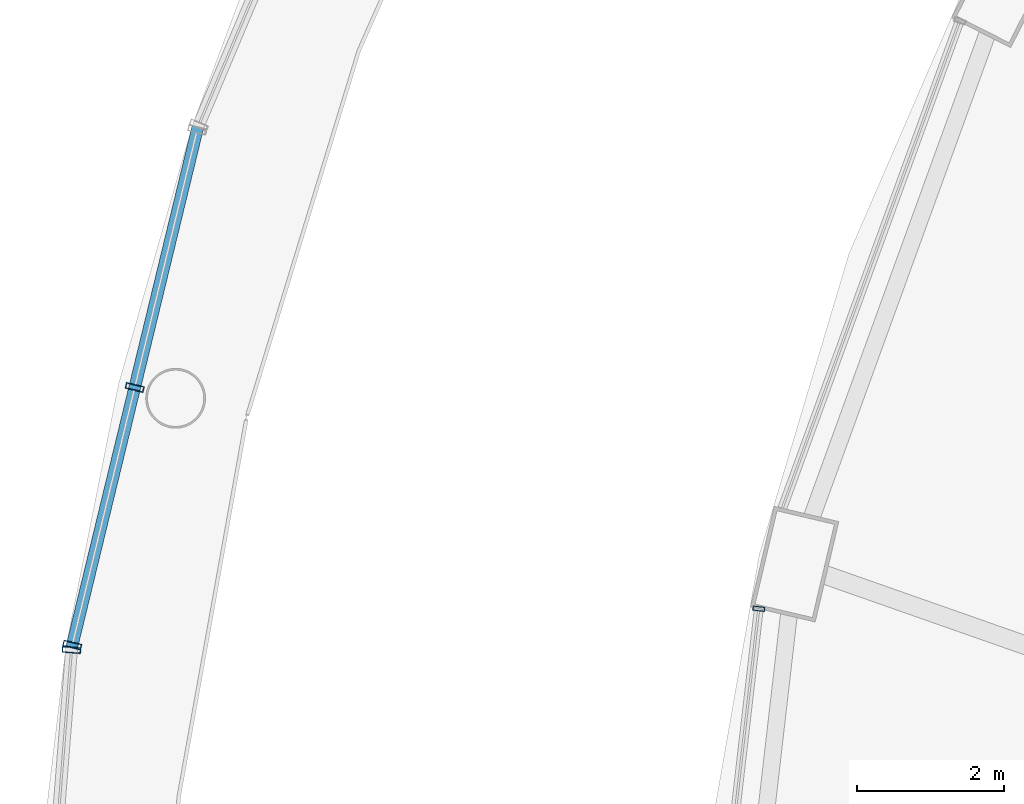
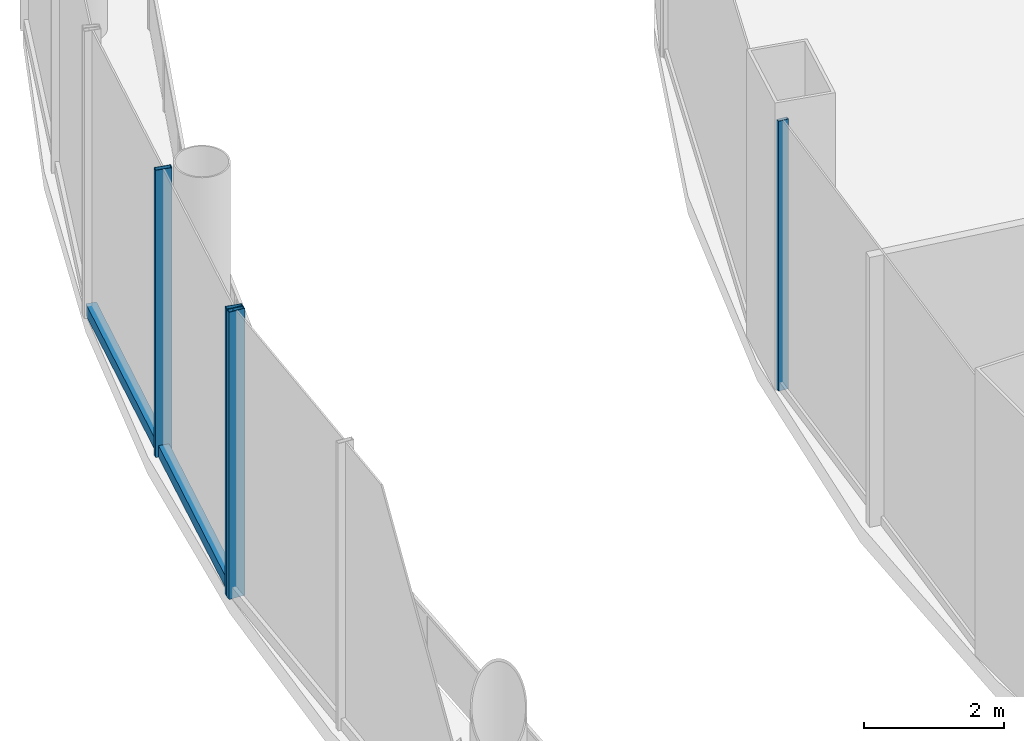
# One storey, part 19 of 47: 5 members, 3 elements without a shape of their own.
"""IFC4 building model written with IfcOpenShell, lengths in metres."""

from ifc_helpers import new_model, si_unit, direction, frame, origin, origin_2d, place, context, subcontext, project, spatial, hollow_rectangle, extrude, material, layer, layer_set, material_profile, profile_set, type_object, element, aggregate, save


model = new_model("IFC4")

# Units and contexts
model_context = context("Model", 3, precision=1e-05, world=origin(), true_north=direction((0.0, 1.0)))
body_context = subcontext(model_context, "Body", "Model", "MODEL_VIEW")
ifc_project = project(units=[si_unit("LENGTHUNIT", "METRE"), si_unit("AREAUNIT", "SQUARE_METRE"), si_unit("VOLUMEUNIT", "CUBIC_METRE"), si_unit("PLANEANGLEUNIT", "RADIAN"), si_unit("MASSUNIT", "GRAM", prefix="KILO")], contexts=[model_context])

# Site, building, storey
site_placement = place(None, origin())
site = spatial("IfcSite", under=ifc_project, at=site_placement, CompositionType="ELEMENT")
building_placement = place(site_placement, origin())
building = spatial("IfcBuilding", under=site, at=building_placement, Name="Nagisa Residences", CompositionType="ELEMENT")
storey_placement = place(building_placement, frame((0.0, 0.0, 17.0)))
storey = spatial("IfcBuildingStorey", under=building, at=storey_placement, Name="L03", CompositionType="ELEMENT", Elevation=17.0)

# Curtain wall, members
ifc_material_1 = material(Name="Stainless steel curtain wall system", Category="steel")
ifc_layer_1 = layer(ifc_material_1, 0.159912109375)
ifc_layer_set_1 = layer_set([ifc_layer_1], Name="CW3 CURTAIN WALL")
curtain_wall_type_1 = type_object("IfcCurtainWallType", Name="CW3 CURTAIN WALL", PredefinedType="NOTDEFINED", material=ifc_layer_set_1)
curtain_wall_1_placement = place(storey_placement, origin())
curtain_wall_1 = element("IfcCurtainWall", 1, at=curtain_wall_1_placement, inside=storey, type_object=curtain_wall_type_1, Name="cw:CW3:L03:16", PredefinedType="NOTDEFINED")
ifc_material_2 = material(Name="Stainless steel", Category="steel")
ifc_material_profile_1 = material_profile(ifc_material_2, hollow_rectangle(XDim=0.25, YDim=0.080078125, WallThickness=0.008056640625, at=origin_2d()), Name="CW3 MULLION 250x80")
ifc_profile_set_1 = profile_set([ifc_material_profile_1], Name="Stainless steel")
member_type_1 = type_object("IfcMemberType", Name="CW3 MULLION 250x80", PredefinedType="MULLION", material=ifc_profile_set_1)
member_1_placement = place(storey_placement, frame((-32.8876953125, 10.810302734375, 0.0), z_axis=(0.0, 0.0, 1.0), x_axis=(0.971848775146, -0.235605514043, 0.0)))
member_1 = element("IfcMember", 2, at=member_1_placement, type_object=member_type_1, Name="CW3 mullion", PredefinedType="MULLION", context=body_context, shape_type="SweptSolid", body=[
    extrude(hollow_rectangle(XDim=0.25, YDim=0.080078125, WallThickness=0.008056640625, at=origin_2d()), origin(), (0.0, 0.0, 1.0), 5.0),
])
member_2_placement = place(storey_placement, frame((-33.735595703125, 7.313232421875, 0.0), z_axis=(0.0, 0.0, 1.0), x_axis=(0.971848775146, -0.235605514043, 0.0)))
member_2 = element("IfcMember", 3, at=member_2_placement, type_object=member_type_1, Name="CW3 mullion", PredefinedType="MULLION", context=body_context, shape_type="SweptSolid", body=[
    extrude(hollow_rectangle(XDim=0.25, YDim=0.080078125, WallThickness=0.008056640625, at=origin_2d()), origin(), (0.0, 0.0, 1.0), 5.0),
])

# Curtain wall, member
curtain_wall_2_placement = place(storey_placement, origin())
curtain_wall_2 = element("IfcCurtainWall", 4, at=curtain_wall_2_placement, inside=storey, type_object=curtain_wall_type_1, Name="cw:CW3:L03:17", PredefinedType="NOTDEFINED")
member_3_placement = place(storey_placement, frame((-33.74609375, 7.2470703125, 0.0), z_axis=(0.0, 0.0, 1.0), x_axis=(0.996881777235, -0.078909582539, 0.0)))
member_3 = element("IfcMember", 5, at=member_3_placement, type_object=member_type_1, Name="CW3 mullion", PredefinedType="MULLION", context=body_context, shape_type="SweptSolid", body=[
    extrude(hollow_rectangle(XDim=0.25, YDim=0.080078125, WallThickness=0.008056640625, at=origin_2d()), origin(), (0.0, 0.0, 1.0), 5.0),
])
aggregate(curtain_wall_2, [member_3])

# Member
ifc_material_3 = material(Name="Stainless steel", Category="steel")
ifc_material_profile_2 = material_profile(ifc_material_3, hollow_rectangle(XDim=0.159912109375, YDim=0.199951171875, WallThickness=0.008056640625, at=origin_2d()), Name="CW3 TRANSOM 160x200")
ifc_profile_set_2 = profile_set([ifc_material_profile_2], Name="Stainless steel")
member_type_2 = type_object("IfcMemberType", Name="CW3 TRANSOM 160x200", PredefinedType="USERDEFINED", material=ifc_profile_set_2)
member_4_placement = place(storey_placement, frame((-32.030517578125, 14.345947265625, 0.10009765625), z_axis=(-0.235605787455, -0.971848708863, 0.0), x_axis=(0.971848708863, -0.235605787455, 0.0)))
member_4 = element("IfcMember", 6, at=member_4_placement, type_object=member_type_2, Name="CW3 transom", ObjectType="TRANSOM", PredefinedType="USERDEFINED", context=body_context, shape_type="SweptSolid", body=[
    extrude(hollow_rectangle(XDim=0.159912109375, YDim=0.199951171875, WallThickness=0.008056640625, at=origin_2d()), origin(), (0.0, 0.0, 1.0), 7.2763671875),
])

aggregate(curtain_wall_1, [member_1, member_2, member_4])

# Curtain wall, member
ifc_material_4 = material(Name="Stainless steel curtain wall system", Category="steel")
ifc_layer_2 = layer(ifc_material_4, 0.159912109375)
ifc_layer_set_2 = layer_set([ifc_layer_2], Name="CW6 CURTAIN WALL")
curtain_wall_type_2 = type_object("IfcCurtainWallType", Name="CW6 CURTAIN WALL", PredefinedType="NOTDEFINED", material=ifc_layer_set_2)
curtain_wall_3_placement = place(storey_placement, origin())
curtain_wall_3 = element("IfcCurtainWall", 7, at=curtain_wall_3_placement, inside=storey, type_object=curtain_wall_type_2, Name="cw:CW6:L03:22", PredefinedType="NOTDEFINED")
ifc_material_5 = material(Name="Stainless steel", Category="steel")
ifc_material_profile_3 = material_profile(ifc_material_5, hollow_rectangle(XDim=0.159912109375, YDim=0.06005859375, WallThickness=0.006103515625, at=origin_2d()), Name="CW6 MULLION 160x60")
ifc_profile_set_3 = profile_set([ifc_material_profile_3], Name="Stainless steel")
member_type_3 = type_object("IfcMemberType", Name="CW6 MULLION 160x60", PredefinedType="MULLION", material=ifc_profile_set_3)
member_5_placement = place(storey_placement, frame((-24.416259765625, 7.806640625, 0.0), z_axis=(0.0, 0.0, 1.0), x_axis=(0.993373823596, -0.114928006139, 0.0)))
member_5 = element("IfcMember", 8, at=member_5_placement, type_object=member_type_3, Name="CW6 mullion", PredefinedType="MULLION", context=body_context, shape_type="SweptSolid", body=[
    extrude(hollow_rectangle(XDim=0.159912109375, YDim=0.06005859375, WallThickness=0.006103515625, at=origin_2d()), origin(), (0.0, 0.0, 1.0), 4.699951171875),
])
aggregate(curtain_wall_3, [member_5])

save(model, "model.ifc")
